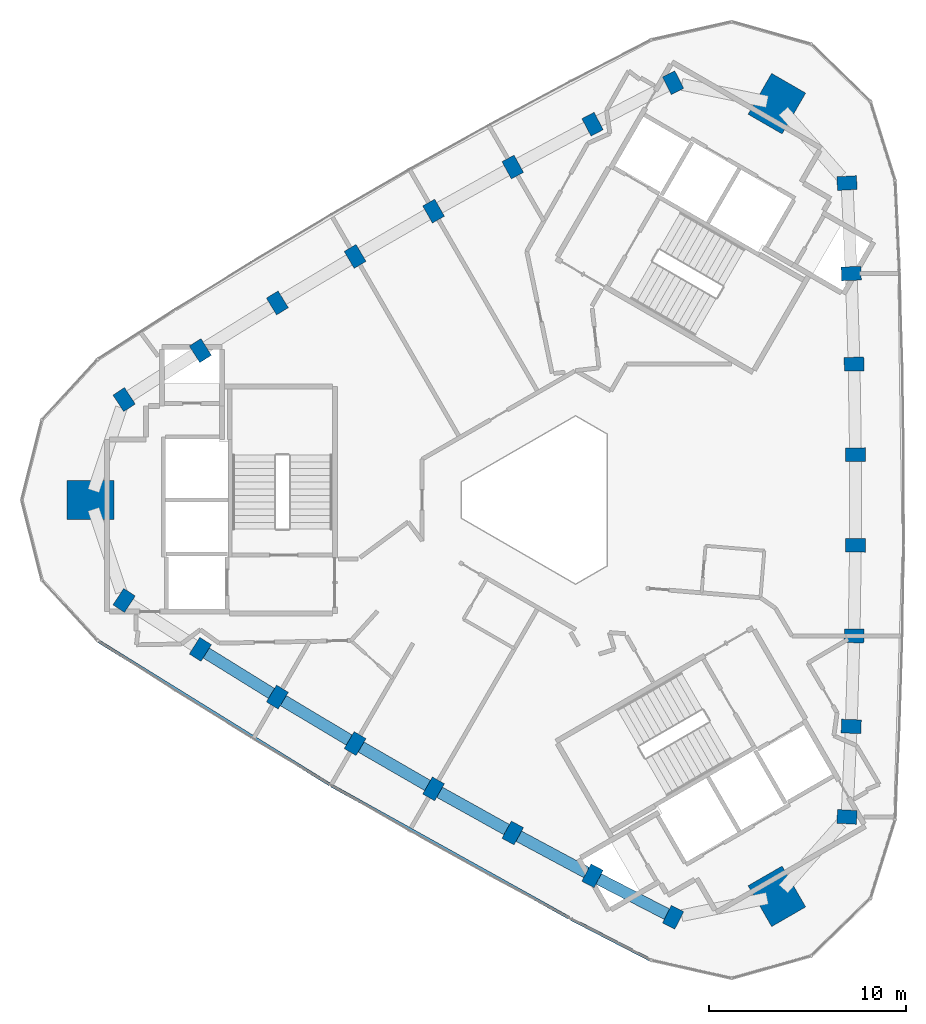
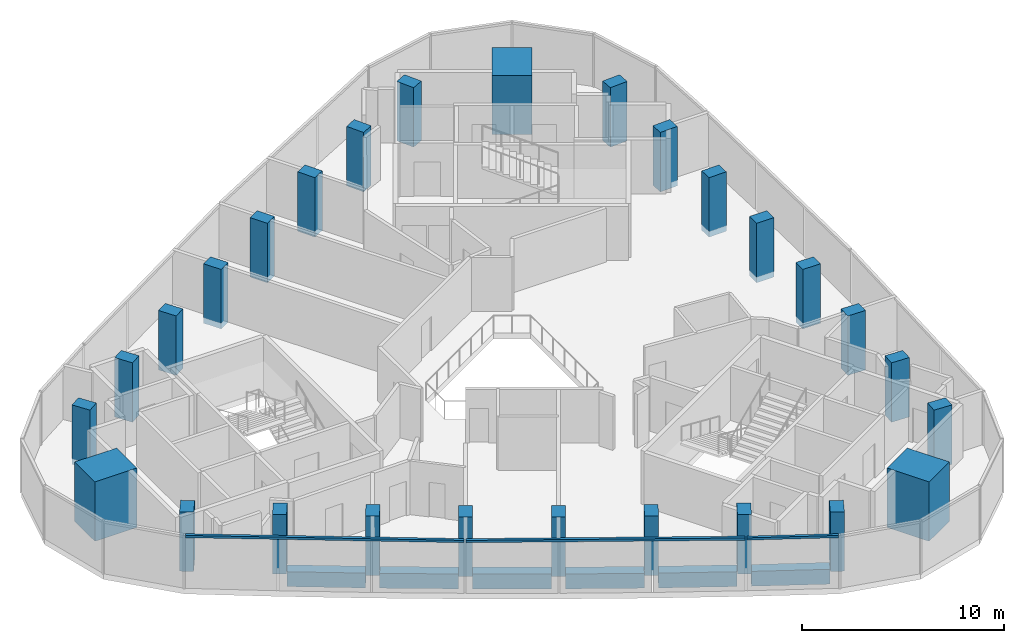
# One storey, part 1 of 10: 27 columns, 6 beams, 3 members, 1 element without a shape of its own.
"""IFC4 building model written with IfcOpenShell, lengths in metres."""

import ifcopenshell
import ifcopenshell.guid

model = None  # the IFC model being written
_history = None  # IfcOwnerHistory: only IFC2X3 demands one
_inside = {}  # id of a spatial element -> (the spatial element, [elements in it])
_under = {}  # id of a project, library or spatial element -> (it, [spatial elements below it])
_declared = {}  # id of a project -> (the project, [libraries it declares])
_typed = {}  # id of a type object -> (the type object, [elements of that type])
_made_of = {}  # id of a material, layer set ... -> (it, [elements and type objects made of it])


def new_model(schema):
    """Start an empty IFC model of exactly this schema.

    Asked for "IFC4X3", IfcOpenShell would pick the latest addendum, in which some entities
    have other attributes; the version numbers below select the first issue.
    IFC2X3 requires an IfcOwnerHistory on every rooted entity: one is made here for all.
    """
    global model, _history
    if schema == "IFC4X3":
        model = ifcopenshell.file(schema_version=(4, 3, 0, 0))
    else:
        model = ifcopenshell.file(schema=schema)
    _inside.clear()
    _under.clear()
    _declared.clear()
    _typed.clear()
    _made_of.clear()
    _history = None
    if model.schema == "IFC2X3":
        org = make("IfcOrganization", Name="unknown")
        user = make(
            "IfcPersonAndOrganization",
            ThePerson=make("IfcPerson", FamilyName="unknown"),
            TheOrganization=org,
        )
        app = make(
            "IfcApplication",
            ApplicationDeveloper=org,
            Version="unknown",
            ApplicationFullName="unknown",
            ApplicationIdentifier="unknown",
        )
        _history = make(
            "IfcOwnerHistory",
            OwningUser=user,
            OwningApplication=app,
            ChangeAction="ADDED",
            CreationDate=0,
        )
    return model


def make(cls, **values):
    """One entity of the class cls with the attributes given. An attribute that is None is left unset."""
    return model.create_entity(
        cls, **{name: value for name, value in values.items() if value is not None}
    )


def rooted(cls, **values):
    """An entity with a GlobalId (a new one), such as an element, a storey or a relation."""
    return make(cls, GlobalId=ifcopenshell.guid.new(), OwnerHistory=_history, **values)


def si_unit(unit_type, name, prefix=None):
    """IfcSIUnit, for example si_unit("LENGTHUNIT", "METRE", prefix="MILLI")."""
    return make("IfcSIUnit", UnitType=unit_type, Prefix=prefix, Name=name)


def assignment(units):
    """IfcUnitAssignment: the units of a project."""
    return None if units is None else make("IfcUnitAssignment", Units=units)


def point(xyz):
    """IfcCartesianPoint."""
    return None if xyz is None else make("IfcCartesianPoint", Coordinates=xyz)


def direction(xyz):
    """IfcDirection."""
    return None if xyz is None else make("IfcDirection", DirectionRatios=xyz)


def frame(location, z_axis=None, x_axis=None):
    """IfcAxis2Placement3D, a coordinate frame: its origin and axes. An axis left out is left unset."""
    return make(
        "IfcAxis2Placement3D",
        Location=point(location),
        Axis=direction(z_axis),
        RefDirection=direction(x_axis),
    )


def frame_2d(location, x_axis=None):
    """IfcAxis2Placement2D, a coordinate frame in the plane: its origin and x axis."""
    return make(
        "IfcAxis2Placement2D", Location=point(location), RefDirection=direction(x_axis)
    )


def origin():
    """The frame at (0, 0, 0) with its axes left unset."""
    return frame((0.0, 0.0, 0.0))


def origin_2d():
    """The frame at (0, 0) in the plane with its x axis left unset."""
    return frame_2d((0.0, 0.0))


def place(relative_to, where):
    """IfcLocalPlacement: puts the frame where relative to a parent placement (None: the world)."""
    return make(
        "IfcLocalPlacement", PlacementRelTo=relative_to, RelativePlacement=where
    )


def context(
    kind, dimensions, precision=None, world=None, true_north=None, identifier=None
):
    """IfcGeometricRepresentationContext, for example the 3D "Model" context."""
    return make(
        "IfcGeometricRepresentationContext",
        ContextIdentifier=identifier,
        ContextType=kind,
        CoordinateSpaceDimension=dimensions,
        Precision=precision,
        WorldCoordinateSystem=world,
        TrueNorth=true_north,
    )


def subcontext(parent, identifier, kind, view, scale=None):
    """IfcGeometricRepresentationSubContext, for example "Body" below "Model"."""
    return make(
        "IfcGeometricRepresentationSubContext",
        ContextIdentifier=identifier,
        ContextType=kind,
        ParentContext=parent,
        TargetScale=scale,
        TargetView=view,
    )


def project(units=None, contexts=None):
    """IfcProject with its units and contexts."""
    return rooted(
        "IfcProject",
        Name="project",
        RepresentationContexts=contexts,
        UnitsInContext=assignment(units),
    )


def spatial(cls, under=None, at=None, **own):
    """A site, building, storey or space (cls), placed at a placement, below another one or the project."""
    s = rooted(cls, ObjectPlacement=at, **own)
    if under is not None:
        _under.setdefault(under.id(), (under, []))[1].append(s)
    return s


def profile(cls, at=None, kind="AREA", **sizes):
    """A parametric profile (cls). Its sizes go by their IFC names, for example OverallWidth=200.0."""
    return make(cls, ProfileType=kind, Position=at, **sizes)


def rectangle(**sizes):
    """IfcRectangleProfileDef."""
    return profile("IfcRectangleProfileDef", **sizes)


def extrude(swept, where, along, depth):
    """IfcExtrudedAreaSolid: the profile swept, set in the frame where, extruded along a direction by depth."""
    return make(
        "IfcExtrudedAreaSolid",
        SweptArea=swept,
        Position=where,
        ExtrudedDirection=direction(along),
        Depth=depth,
    )


def shape(context_of_items, identifier, shape_type, items):
    """IfcShapeRepresentation: the items that make up one representation, for example the "Body"."""
    return make(
        "IfcShapeRepresentation",
        ContextOfItems=context_of_items,
        RepresentationIdentifier=identifier,
        RepresentationType=shape_type,
        Items=items,
    )


def material(Name=None, Category=None):
    """IfcMaterial."""
    return make("IfcMaterial", Name=Name, Category=Category)


def material_profile(
    of_material, cross_section, Name=None, Category=None, Priority=None
):
    """IfcMaterialProfile: a cross section and its material."""
    return make(
        "IfcMaterialProfile",
        Name=Name,
        Material=of_material,
        Profile=cross_section,
        Priority=Priority,
        Category=Category,
    )


def profile_set(profiles, Name=None, composite=None):
    """IfcMaterialProfileSet."""
    return make(
        "IfcMaterialProfileSet",
        Name=Name,
        MaterialProfiles=profiles,
        CompositeProfile=composite,
    )


def made_of(thing, what):
    """Note that an element or type object is made of a material, layer set ...; save() writes the relation."""
    if what is not None:
        _made_of.setdefault(what.id(), (what, []))[1].append(thing)
    return thing


def type_object(cls, material=None, **own):
    """A type object (cls), such as IfcWallType, which elements share."""
    return made_of(rooted(cls, **own), material)


def element(
    cls,
    number,
    at=None,
    inside=None,
    cuts=None,
    type_object=None,
    material=None,
    context=None,
    identifier="Body",
    shape_type=None,
    held_by="IfcProductDefinitionShape",
    body=None,
    shapes=None,
    **own,
):
    """One element of the class cls, such as IfcWall. Its Tag is "e" and its number.

    at: its placement. inside: the storey or other place that contains it. cuts: it is an
    opening in that element (IfcRelVoidsElement). A single representation is given by context,
    identifier, shape_type and body (its items); several are given by shapes. held_by: the class
    of the entity that holds the representations. save() writes the other relations.
    """
    e = rooted(cls, Tag="e%d" % number, ObjectPlacement=at, **own)
    if body is not None:
        shapes = [shape(context, identifier, shape_type, body)]
    if shapes is not None:
        e.Representation = make(held_by, Representations=shapes)
    if inside is not None:
        _inside.setdefault(inside.id(), (inside, []))[1].append(e)
    if cuts is not None:
        rooted(
            "IfcRelVoidsElement", RelatingBuildingElement=cuts, RelatedOpeningElement=e
        )
    if type_object is not None:
        _typed.setdefault(type_object.id(), (type_object, []))[1].append(e)
    return made_of(e, material)


def aggregate(whole, parts):
    """IfcRelAggregates: a whole, such as a stair, and the parts it consists of."""
    return rooted("IfcRelAggregates", RelatingObject=whole, RelatedObjects=parts)


def save(model, path):
    """Write the relations noted so far, then the file.

    IfcRelAggregates (storeys below a building ...), IfcRelContainedInSpatialStructure (elements
    in a storey), IfcRelDefinesByType, IfcRelAssociatesMaterial and IfcRelDeclares: one each for
    every whole, place, type object, material and project.
    """
    for whole, parts in _under.values():
        aggregate(whole, parts)
    for where, things in _inside.values():
        rooted(
            "IfcRelContainedInSpatialStructure",
            RelatedElements=things,
            RelatingStructure=where,
        )
    for kind, things in _typed.values():
        rooted("IfcRelDefinesByType", RelatedObjects=things, RelatingType=kind)
    for what, things in _made_of.values():
        rooted("IfcRelAssociatesMaterial", RelatedObjects=things, RelatingMaterial=what)
    for by, libraries in _declared.values():
        rooted("IfcRelDeclares", RelatingContext=by, RelatedDefinitions=libraries)
    model.write(path)


model = new_model("IFC4")

# Units and contexts
model_context = context("Model", 3, precision=1e-05, world=origin(), true_north=direction((0.0, 1.0)))
body_context = subcontext(model_context, "Body", "Model", "MODEL_VIEW")
ifc_project = project(units=[si_unit("LENGTHUNIT", "METRE"), si_unit("AREAUNIT", "SQUARE_METRE"), si_unit("VOLUMEUNIT", "CUBIC_METRE"), si_unit("PLANEANGLEUNIT", "RADIAN"), si_unit("MASSUNIT", "GRAM", prefix="KILO")], contexts=[model_context])

# Site, building, storey
site_placement = place(None, origin())
site = spatial("IfcSite", under=ifc_project, at=site_placement, CompositionType="ELEMENT")
building_placement = place(site_placement, origin())
building = spatial("IfcBuilding", under=site, at=building_placement, Name="Tamra Quay Hotel Tower", CompositionType="ELEMENT")
storey_placement = place(building_placement, frame((0.0, 0.0, 276.60009765625)))
storey = spatial("IfcBuildingStorey", under=building, at=storey_placement, Name="L70", CompositionType="ELEMENT", Elevation=276.60009765625)

# Columns
ifc_material_1 = material(Name="Concrete M70", Category="concrete")
ifc_material_profile_1 = material_profile(ifc_material_1, rectangle(XDim=1.0, YDim=0.699951171875, at=origin_2d()), Name="COLUMN RC 700x1000 Z6")
ifc_profile_set_1 = profile_set([ifc_material_profile_1], Name="Concrete M70")
column_type_1 = type_object("IfcColumnType", Name="COLUMN RC 700x1000 Z6", PredefinedType="COLUMN", material=ifc_profile_set_1)
for number, where, z_axis, x_axis, name in (
    (1, (15.202392578125, -16.116943359375, -0.35009765625), (0.0, 0.0, 1.0), (-0.998490919119, 0.05491706873, 0.0), "COL-C6E01-L70"),
    (2, (15.418212890625, -11.51513671875, -0.35009765625), (0.0, 0.0, 1.0), (-0.999251212442, 0.03869127076, 0.0), "COL-C6E02-L70"),
    (3, (15.56201171875, -6.909912109375, -0.35009765625), (0.0, 0.0, 1.0), (-0.999717847188, 0.023753442163, 0.0), "COL-C6E03-L70"),
    (4, (15.634033203125, -2.303466796875, -0.35009765625), (0.0, 0.0, 1.0), (-0.999968634555, 0.007920221337, 0.0), "COL-C6E04-L70"),
    (5, (15.634033203125, 2.303466796875, -0.35009765625), (0.0, 0.0, 1.0), (0.999968634555, 0.007920221337, 0.0), "COL-C6E05-L70"),
    (6, (15.56201171875, 6.909912109375, -0.35009765625), (0.0, 0.0, 1.0), (0.999717847188, 0.023753442163, 0.0), "COL-C6E06-L70"),
    (7, (15.418212890625, 11.51513671875, -0.35009765625), (0.0, 0.0, 1.0), (0.999251212442, 0.03869127076, 0.0), "COL-C6E07-L70"),
    (8, (15.202392578125, 16.116943359375, -0.35009765625), (0.0, 0.0, 1.0), (0.998490919119, 0.05491706873, 0.0), "COL-C6E08-L70"),
    (9, (6.3564453125, 21.22412109375, -0.35009765625), (0.0, 0.0, 1.0), (-0.451685882938, 0.89217703577, 0.0), "COL-C6NW01-L70"),
    (10, (2.26318359375, 19.110107421875, -0.35009765625), (0.0, 0.0, 1.0), (-0.466117982839, 0.884722570117, 0.0), "COL-C6NW02-L70"),
    (11, (-1.796875, 16.93212890625, -0.35009765625), (0.0, 0.0, 1.0), (-0.479287839253, 0.877657773363, 0.0), "COL-C6NW03-L70"),
    (12, (-5.822265625, 14.69140625, -0.35009765625), (0.0, 0.0, 1.0), (-0.493125204396, 0.869958351181, 0.0), "COL-C6NW04-L70"),
    (13, (-9.81201171875, 12.3876953125, -0.35009765625), (0.0, 0.0, 1.0), (-0.506843430159, 0.862038129844, 0.0), "COL-C6NW05-L70"),
    (14, (-13.765380859375, 10.022216796875, -0.35009765625), (0.0, 0.0, 1.0), (-0.520430007934, 0.8539043312, 0.0), "COL-C6NW06-L70"),
    (15, (-17.681396484375, 7.594970703125, -0.35009765625), (0.0, 0.0, 1.0), (-0.533133229604, 0.846031299357, 0.0), "COL-C6NW07-L70"),
    (16, (-21.558837890625, 5.107421875, -0.35009765625), (0.0, 0.0, 1.0), (-0.546805036181, 0.83725996704, 0.0), "COL-C6NW08-L70"),
    (17, (-21.558837890625, -5.107421875, -0.35009765625), (0.0, 0.0, 1.0), (0.546805036181, 0.83725996704, 0.0), "COL-C6SW01-L70"),
    (18, (-17.681396484375, -7.594970703125, -0.35009765625), (0.0, 0.0, 1.0), (0.533133229604, 0.846031299357, 0.0), "COL-C6SW02-L70"),
    (19, (-13.765380859375, -10.022216796875, -0.35009765625), (0.0, 0.0, 1.0), (0.520430007934, 0.8539043312, 0.0), "COL-C6SW03-L70"),
    (20, (-9.81201171875, -12.3876953125, -0.35009765625), (0.0, 0.0, 1.0), (0.506843430159, 0.862038129844, 0.0), "COL-C6SW04-L70"),
    (21, (-5.822265625, -14.69140625, -0.35009765625), (0.0, 0.0, 1.0), (0.493125204396, 0.869958351181, 0.0), "COL-C6SW05-L70"),
    (22, (-1.796875, -16.93212890625, -0.35009765625), (0.0, 0.0, 1.0), (0.479287839253, 0.877657773363, 0.0), "COL-C6SW06-L70"),
    (23, (2.26318359375, -19.110107421875, -0.35009765625), (0.0, 0.0, 1.0), (0.466117982839, 0.884722570117, 0.0), "COL-C6SW07-L70"),
    (24, (6.3564453125, -21.22412109375, -0.35009765625), (0.0, 0.0, 1.0), (0.451685882938, 0.89217703577, 0.0), "COL-C6SW08-L70"),
):
    element("IfcColumn", number, at=place(storey_placement, frame(where, z_axis=z_axis, x_axis=x_axis)), inside=storey, type_object=column_type_1, Name=name, PredefinedType="COLUMN", context=body_context, shape_type="SweptSolid", body=[
        extrude(rectangle(XDim=1.0, YDim=0.699951171875, at=origin_2d()), origin(), (0.0, 0.0, 1.0), 3.60009765625),
    ])
ifc_material_profile_2 = material_profile(ifc_material_1, rectangle(XDim=2.39990234375, YDim=2.0, at=origin_2d()), Name="MEGA COLUMN RC 2000x2400 Z6")
ifc_profile_set_2 = profile_set([ifc_material_profile_2], Name="Concrete M70")
column_type_2 = type_object("IfcColumnType", Name="MEGA COLUMN RC 2000x2400 Z6", PredefinedType="COLUMN", material=ifc_profile_set_2)
for number, where, z_axis, x_axis, name in (
    (25, (11.63671875, 20.1552734375, -0.35009765625), (0.0, 0.0, 1.0), (0.5, 0.866025403784, 0.0), "COL-M6NE-L70"),
    (26, (-23.2734375, 0.0, -0.35009765625), (0.0, 0.0, 1.0), (1.0, 0.0, 0.0), "COL-M6W-L70"),
    (27, (11.63671875, -20.1552734375, -0.35009765625), (0.0, 0.0, 1.0), (-0.5, 0.866025403784, 0.0), "COL-M6SE-L70"),
):
    element("IfcColumn", number, at=place(storey_placement, frame(where, z_axis=z_axis, x_axis=x_axis)), inside=storey, type_object=column_type_2, Name=name, PredefinedType="COLUMN", context=body_context, shape_type="SweptSolid", body=[
        extrude(rectangle(XDim=2.39990234375, YDim=2.0, at=origin_2d()), origin(), (0.0, 0.0, 1.0), 3.60009765625),
    ])

# Beams
ifc_material_2 = material(Name="Concrete M60", Category="concrete")
ifc_material_profile_3 = material_profile(ifc_material_2, rectangle(XDim=0.60009765625, YDim=0.89990234375, at=origin_2d()), Name="SPANDREL BEAM RC 600x900")
ifc_profile_set_3 = profile_set([ifc_material_profile_3], Name="Concrete M60")
beam_type = type_object("IfcBeamType", Name="SPANDREL BEAM RC 600x900", PredefinedType="SPANDREL", material=ifc_profile_set_3)
beam_1_placement = place(storey_placement, frame((-17.384033203125, -7.779296875, -0.800048828125), z_axis=(0.849972078006, -0.526827739029, 0.0), x_axis=(0.526827739029, 0.849972078006, 0.0)))
element("IfcBeam", 28, at=beam_1_placement, inside=storey, type_object=beam_type, Name="BM-SP6-019-L70", PredefinedType="SPANDREL", context=body_context, shape_type="SweptSolid", body=[
    extrude(rectangle(XDim=0.60009765625, YDim=0.89990234375, at=origin_2d()), origin(), (0.0, 0.0, 1.0), 3.907470703125),
])
beam_2_placement = place(storey_placement, frame((-13.465087890625, -10.201904296875, -0.800048828125), z_axis=(0.858120821909, -0.513447811376, 0.0), x_axis=(0.513447811376, 0.858120821909, 0.0)))
element("IfcBeam", 29, at=beam_2_placement, inside=storey, type_object=beam_type, Name="BM-SP6-020-L70", PredefinedType="SPANDREL", context=body_context, shape_type="SweptSolid", body=[
    extrude(rectangle(XDim=0.60009765625, YDim=0.89990234375, at=origin_2d()), origin(), (0.0, 0.0, 1.0), 3.9072265625),
])
for number, where, z_axis, x_axis, name in (
    (30, (-9.5087890625, -12.562744140625, -0.800048828125), (0.866011803689, -0.500023555316, 0.0), (0.500023555316, 0.866011803689, 0.0), "BM-SP6-021-L70"),
    (31, (-5.516357421875, -14.861572265625, -0.800048828125), (0.873726581477, -0.486417373066, 0.0), (0.486417373066, 0.873726581477, 0.0), "BM-SP6-022-L70"),
):
    element("IfcBeam", number, at=place(storey_placement, frame(where, z_axis=z_axis, x_axis=x_axis)), inside=storey, type_object=beam_type, Name=name, PredefinedType="SPANDREL", context=body_context, shape_type="SweptSolid", body=[
        extrude(rectangle(XDim=0.60009765625, YDim=0.89990234375, at=origin_2d()), origin(), (0.0, 0.0, 1.0), 3.906982421875),
    ])
beam_3_placement = place(storey_placement, frame((-1.488525390625, -17.09765625, -0.800048828125), z_axis=(0.88123835064, -0.472672158437, 0.0), x_axis=(0.472672158437, 0.88123835064, 0.0)))
element("IfcBeam", 32, at=beam_3_placement, inside=storey, type_object=beam_type, Name="BM-SP6-023-L70", PredefinedType="SPANDREL", context=body_context, shape_type="SweptSolid", body=[
    extrude(rectangle(XDim=0.60009765625, YDim=0.89990234375, at=origin_2d()), origin(), (0.0, 0.0, 1.0), 3.907470703125),
])
beam_4_placement = place(storey_placement, frame((2.57421875, -19.270751953125, -0.800048828125), z_axis=(0.888476019227, -0.458923047208, 0.0), x_axis=(0.458923047208, 0.888476019227, 0.0)))
element("IfcBeam", 33, at=beam_4_placement, inside=storey, type_object=beam_type, Name="BM-SP6-024-L70", PredefinedType="SPANDREL", context=body_context, shape_type="SweptSolid", body=[
    extrude(rectangle(XDim=0.60009765625, YDim=0.89990234375, at=origin_2d()), origin(), (0.0, 0.0, 1.0), 3.906982421875),
])

# Curtain wall, members
ifc_material_3 = material(Name="Aluminium 6063 anodised dark grey", Category="aluminium")
curtain_wall_type = type_object("IfcCurtainWallType", Name="CW3 CURTAIN WALL", PredefinedType="NOTDEFINED", material=ifc_material_3)
curtain_wall_placement = place(storey_placement, origin())
curtain_wall = element("IfcCurtainWall", 34, at=curtain_wall_placement, inside=storey, type_object=curtain_wall_type, Name="CW3 south-west face L70", PredefinedType="NOTDEFINED")
ifc_material_profile_4 = material_profile(ifc_material_3, rectangle(XDim=0.159912109375, YDim=0.139892578125, at=origin_2d()), Name="TRANSOM 160X140")
ifc_profile_set_4 = profile_set([ifc_material_profile_4], Name="Aluminium 6063 anodised dark grey")
member_type = type_object("IfcMemberType", Name="TRANSOM CW3 Z6", PredefinedType="USERDEFINED", material=ifc_profile_set_4)
member_1_placement = place(storey_placement, frame((-22.8564453125, -7.185546875, 3.179931640625), z_axis=(0.849982974427, -0.526810158581, 0.0), x_axis=(0.526810158581, 0.849982974427, 0.0)))
member_1 = element("IfcMember", 35, at=member_1_placement, type_object=member_type, Name="CW3 transom L70.SW.1", ObjectType="TRANSOM", PredefinedType="USERDEFINED", context=body_context, shape_type="SweptSolid", body=[
    extrude(rectangle(XDim=0.159912109375, YDim=0.139892578125, at=origin_2d()), origin(), (0.0, 0.0, 1.0), 13.835205078125),
])
member_2_placement = place(storey_placement, frame((-11.010498046875, -14.52490234375, 3.179931640625), z_axis=(0.873734917996, -0.486402398302, 0.0), x_axis=(0.486402398302, 0.873734917996, 0.0)))
member_2 = element("IfcMember", 36, at=member_2_placement, type_object=member_type, Name="CW3 transom L70.SW.4", ObjectType="TRANSOM", PredefinedType="USERDEFINED", context=body_context, shape_type="SweptSolid", body=[
    extrude(rectangle(XDim=0.159912109375, YDim=0.139892578125, at=origin_2d()), origin(), (0.0, 0.0, 1.0), 13.834716796875),
])
member_3_placement = place(storey_placement, frame((1.165771484375, -21.300537109375, 3.179931640625), z_axis=(0.888486484454, -0.458902785939, 0.0), x_axis=(0.458902785939, 0.888486484454, 0.0)))
member_3 = element("IfcMember", 37, at=member_3_placement, type_object=member_type, Name="CW3 transom L70.SW.7", ObjectType="TRANSOM", PredefinedType="USERDEFINED", context=body_context, shape_type="SweptSolid", body=[
    extrude(rectangle(XDim=0.159912109375, YDim=0.139892578125, at=origin_2d()), origin(), (0.0, 0.0, 1.0), 4.546630859375),
])
aggregate(curtain_wall, [member_1, member_2, member_3])

save(model, "model.ifc")
